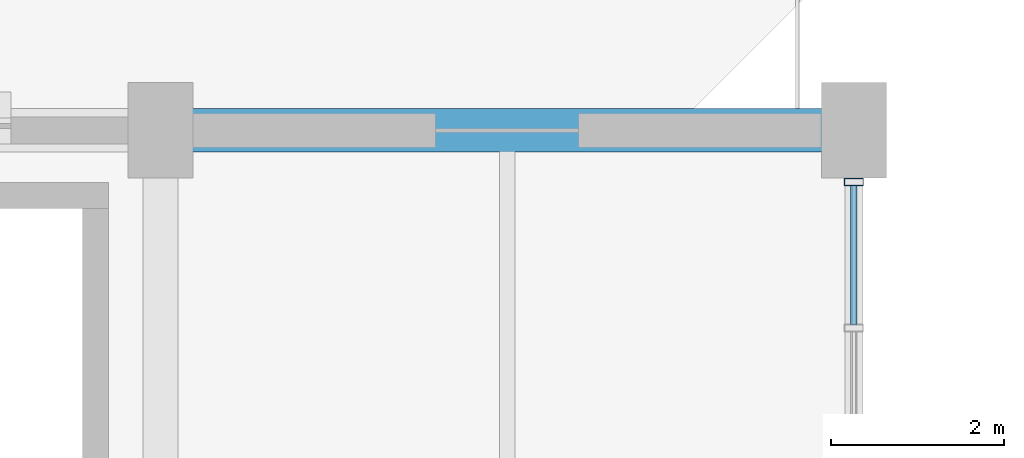
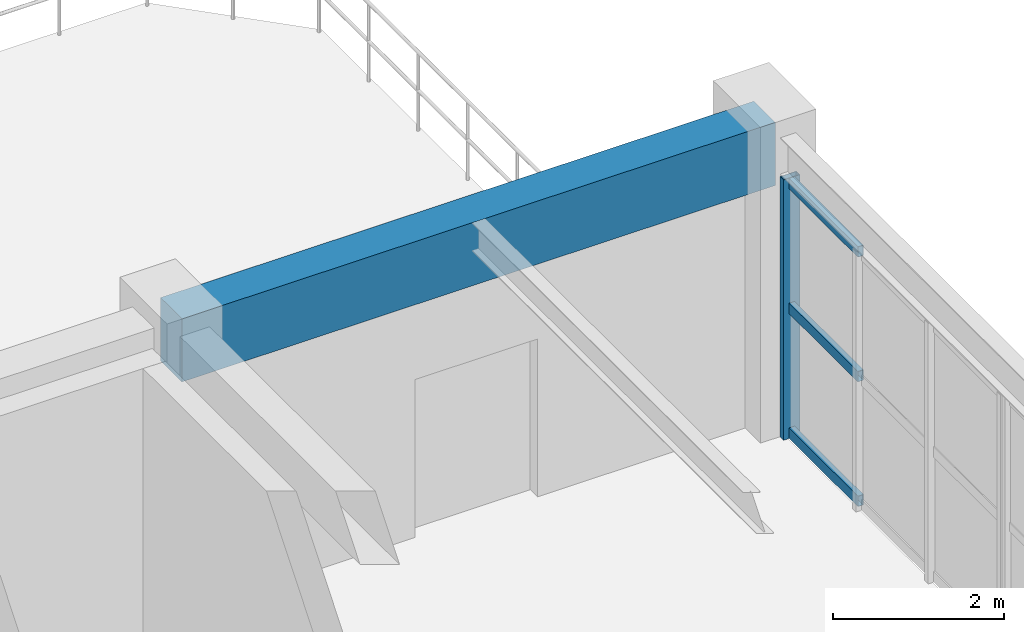
# One storey, part 11 of 48: 4 members, 1 beam, 1 element without a shape of its own.
"""IFC4 building model written with IfcOpenShell, lengths in metres."""

from ifc_helpers import new_model, si_unit, direction, frame, origin, origin_2d, place, context, subcontext, project, spatial, rectangle, hollow_rectangle, extrude, material, layer, layer_set, material_profile, profile_set, type_object, element, aggregate, save


model = new_model("IFC4")

# Units and contexts
model_context = context("Model", 3, precision=1e-05, world=origin(), true_north=direction((0.0, 1.0)))
body_context = subcontext(model_context, "Body", "Model", "MODEL_VIEW")
ifc_project = project(units=[si_unit("LENGTHUNIT", "METRE"), si_unit("AREAUNIT", "SQUARE_METRE"), si_unit("VOLUMEUNIT", "CUBIC_METRE"), si_unit("PLANEANGLEUNIT", "RADIAN"), si_unit("MASSUNIT", "GRAM", prefix="KILO"), si_unit("POWERUNIT", "WATT"), si_unit("THERMODYNAMICTEMPERATUREUNIT", "KELVIN")], contexts=[model_context])

# Site, building, storey
site_placement = place(None, origin())
site = spatial("IfcSite", under=ifc_project, at=site_placement, CompositionType="ELEMENT")
building_placement = place(site_placement, origin())
building = spatial("IfcBuilding", under=site, at=building_placement, Name="Kelmbourne Parkland Aquatics Centre", CompositionType="ELEMENT")
storey_placement = place(building_placement, frame((0.0, 0.0, 14.699951171875)))
storey = spatial("IfcBuildingStorey", under=building, at=storey_placement, Name="L03", CompositionType="ELEMENT", Elevation=14.699951171875)

# Beam
ifc_material_1 = material(Name="Concrete C40/50", Category="concrete")
ifc_material_profile_1 = material_profile(ifc_material_1, rectangle(XDim=0.5, YDim=0.89990234375, at=origin_2d()), Name="RC 500x900")
ifc_profile_set_1 = profile_set([ifc_material_profile_1], Name="Concrete C40/50")
beam_type = type_object("IfcBeamType", Name="BM-G03", PredefinedType="BEAM", material=ifc_profile_set_1)
beam_placement = place(storey_placement, frame((32.0, 46.39990234375, 3.81005859375), z_axis=(1.0, 0.0, 0.0), x_axis=(0.0, 1.0, 0.0)))
element("IfcBeam", 1, at=beam_placement, inside=storey, type_object=beam_type, Name="Primary girder E-F Grid 06 (L04)", PredefinedType="BEAM", context=body_context, shape_type="SweptSolid", body=[
    extrude(rectangle(XDim=0.5, YDim=0.89990234375, at=origin_2d()), origin(), (0.0, 0.0, 1.0), 8.0),
])

# Curtain wall, members
ifc_material_2 = material(Name="Thermally broken anodised aluminium framing", Category="aluminium")
ifc_layer = layer(ifc_material_2, 0.179931640625)
ifc_layer_set = layer_set([ifc_layer], Name="Thermally broken anodised aluminium framing")
curtain_wall_type = type_object("IfcCurtainWallType", Name="CW-22", PredefinedType="NOTDEFINED", material=ifc_layer_set)
curtain_wall_placement = place(storey_placement, origin())
curtain_wall = element("IfcCurtainWall", 2, at=curtain_wall_placement, inside=storey, type_object=curtain_wall_type, Name="Facade curtain wall CW-L03-262", PredefinedType="NOTDEFINED")
ifc_material_profile_2 = material_profile(ifc_material_2, hollow_rectangle(XDim=0.0849609375, YDim=0.219970703125, WallThickness=0.0048828125, at=origin_2d()), Name="CW-M 85x220")
ifc_profile_set_2 = profile_set([ifc_material_profile_2], Name="Thermally broken anodised aluminium framing")
member_type_1 = type_object("IfcMemberType", Name="MB-MUL-3", PredefinedType="MULLION", material=ifc_profile_set_2)
member_1_placement = place(storey_placement, frame((40.0, 45.805419921875, 0.0), z_axis=(0.0, 0.0, 1.0), x_axis=(0.0, 1.0, 0.0)))
member_1 = element("IfcMember", 3, at=member_1_placement, type_object=member_type_1, Name="CW-L03-262 mullion 3", PredefinedType="MULLION", context=body_context, shape_type="SweptSolid", body=[
    extrude(hollow_rectangle(XDim=0.0849609375, YDim=0.219970703125, WallThickness=0.0048828125, at=origin_2d()), origin(), (0.0, 0.0, 1.0), 3.712158203125),
])
ifc_material_profile_3 = material_profile(ifc_material_2, hollow_rectangle(XDim=0.074951171875, YDim=0.14990234375, WallThickness=0.00390625, at=origin_2d()), Name="CW-T 75x150")
ifc_profile_set_3 = profile_set([ifc_material_profile_3], Name="Thermally broken anodised aluminium framing")
member_type_2 = type_object("IfcMemberType", Name="MB-TRN-2", PredefinedType="USERDEFINED", material=ifc_profile_set_3)
member_2_placement = place(storey_placement, frame((40.0, 44.15625, 0.078125), z_axis=(0.0, 1.0, 0.0), x_axis=(-1.0, 0.0, 0.0)))
member_2 = element("IfcMember", 4, at=member_2_placement, type_object=member_type_2, Name="CW-L03-262 transom 0-2", ObjectType="TRANSOM", PredefinedType="USERDEFINED", context=body_context, shape_type="SweptSolid", body=[
    extrude(hollow_rectangle(XDim=0.074951171875, YDim=0.14990234375, WallThickness=0.00390625, at=origin_2d()), origin(), (0.0, 0.0, 1.0), 1.61083984375),
])
member_3_placement = place(storey_placement, frame((40.0, 44.15625, 1.85595703125), z_axis=(0.0, 1.0, 0.0), x_axis=(-1.0, 0.0, 0.0)))
member_3 = element("IfcMember", 5, at=member_3_placement, type_object=member_type_2, Name="CW-L03-262 transom 1-2", ObjectType="TRANSOM", PredefinedType="USERDEFINED", context=body_context, shape_type="SweptSolid", body=[
    extrude(hollow_rectangle(XDim=0.074951171875, YDim=0.14990234375, WallThickness=0.00390625, at=origin_2d()), origin(), (0.0, 0.0, 1.0), 1.61083984375),
])
member_4_placement = place(storey_placement, frame((40.0, 44.15625, 3.634033203125), z_axis=(0.0, 1.0, 0.0), x_axis=(-1.0, 0.0, 0.0)))
member_4 = element("IfcMember", 6, at=member_4_placement, type_object=member_type_2, Name="CW-L03-262 transom 2-2", ObjectType="TRANSOM", PredefinedType="USERDEFINED", context=body_context, shape_type="SweptSolid", body=[
    extrude(hollow_rectangle(XDim=0.074951171875, YDim=0.14990234375, WallThickness=0.00390625, at=origin_2d()), origin(), (0.0, 0.0, 1.0), 1.61083984375),
])
aggregate(curtain_wall, [member_1, member_2, member_3, member_4])

save(model, "model.ifc")
